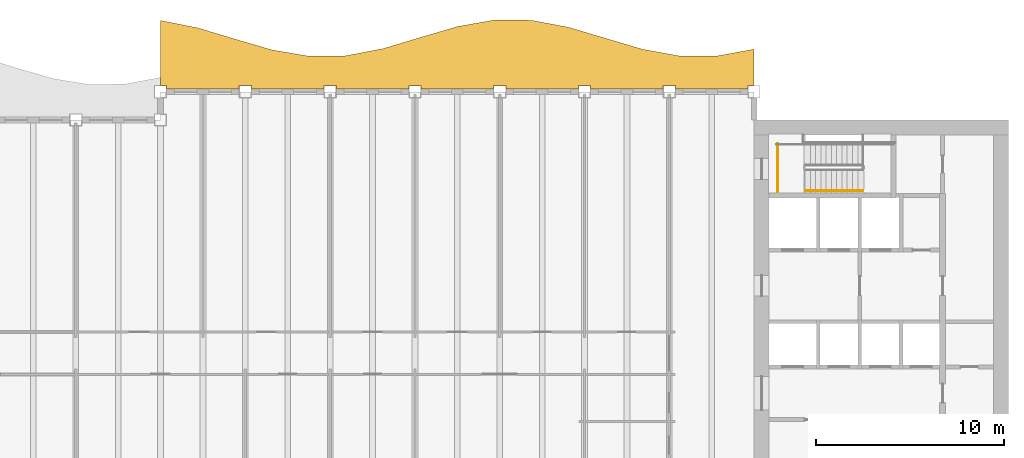
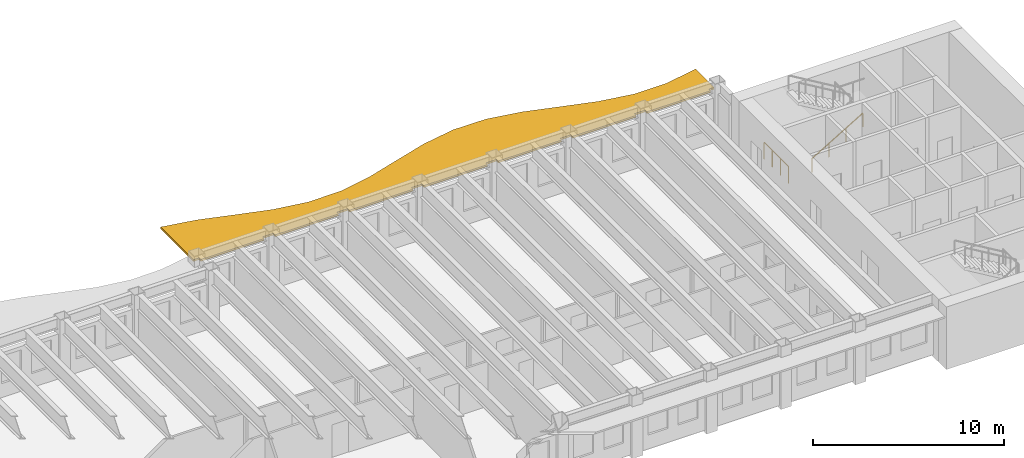
# One storey, part 11 of 12: 2 railings, 1 shading device.
"""IFC4 building model written with IfcOpenShell, lengths in metres."""

import ifcopenshell
import ifcopenshell.guid

model = None  # the IFC model being written
_history = None  # IfcOwnerHistory: only IFC2X3 demands one
_inside = {}  # id of a spatial element -> (the spatial element, [elements in it])
_under = {}  # id of a project, library or spatial element -> (it, [spatial elements below it])
_declared = {}  # id of a project -> (the project, [libraries it declares])
_typed = {}  # id of a type object -> (the type object, [elements of that type])
_made_of = {}  # id of a material, layer set ... -> (it, [elements and type objects made of it])


def new_model(schema):
    """Start an empty IFC model of exactly this schema.

    Asked for "IFC4X3", IfcOpenShell would pick the latest addendum, in which some entities
    have other attributes; the version numbers below select the first issue.
    IFC2X3 requires an IfcOwnerHistory on every rooted entity: one is made here for all.
    """
    global model, _history
    if schema == "IFC4X3":
        model = ifcopenshell.file(schema_version=(4, 3, 0, 0))
    else:
        model = ifcopenshell.file(schema=schema)
    _inside.clear()
    _under.clear()
    _declared.clear()
    _typed.clear()
    _made_of.clear()
    _history = None
    if model.schema == "IFC2X3":
        org = make("IfcOrganization", Name="unknown")
        user = make(
            "IfcPersonAndOrganization",
            ThePerson=make("IfcPerson", FamilyName="unknown"),
            TheOrganization=org,
        )
        app = make(
            "IfcApplication",
            ApplicationDeveloper=org,
            Version="unknown",
            ApplicationFullName="unknown",
            ApplicationIdentifier="unknown",
        )
        _history = make(
            "IfcOwnerHistory",
            OwningUser=user,
            OwningApplication=app,
            ChangeAction="ADDED",
            CreationDate=0,
        )
    return model


def make(cls, **values):
    """One entity of the class cls with the attributes given. An attribute that is None is left unset."""
    return model.create_entity(
        cls, **{name: value for name, value in values.items() if value is not None}
    )


def rooted(cls, **values):
    """An entity with a GlobalId (a new one), such as an element, a storey or a relation."""
    return make(cls, GlobalId=ifcopenshell.guid.new(), OwnerHistory=_history, **values)


def si_unit(unit_type, name, prefix=None):
    """IfcSIUnit, for example si_unit("LENGTHUNIT", "METRE", prefix="MILLI")."""
    return make("IfcSIUnit", UnitType=unit_type, Prefix=prefix, Name=name)


def assignment(units):
    """IfcUnitAssignment: the units of a project."""
    return None if units is None else make("IfcUnitAssignment", Units=units)


def point(xyz):
    """IfcCartesianPoint."""
    return None if xyz is None else make("IfcCartesianPoint", Coordinates=xyz)


def direction(xyz):
    """IfcDirection."""
    return None if xyz is None else make("IfcDirection", DirectionRatios=xyz)


def frame(location, z_axis=None, x_axis=None):
    """IfcAxis2Placement3D, a coordinate frame: its origin and axes. An axis left out is left unset."""
    return make(
        "IfcAxis2Placement3D",
        Location=point(location),
        Axis=direction(z_axis),
        RefDirection=direction(x_axis),
    )


def frame_2d(location, x_axis=None):
    """IfcAxis2Placement2D, a coordinate frame in the plane: its origin and x axis."""
    return make(
        "IfcAxis2Placement2D", Location=point(location), RefDirection=direction(x_axis)
    )


def origin():
    """The frame at (0, 0, 0) with its axes left unset."""
    return frame((0.0, 0.0, 0.0))


def origin_2d():
    """The frame at (0, 0) in the plane with its x axis left unset."""
    return frame_2d((0.0, 0.0))


def place(relative_to, where):
    """IfcLocalPlacement: puts the frame where relative to a parent placement (None: the world)."""
    return make(
        "IfcLocalPlacement", PlacementRelTo=relative_to, RelativePlacement=where
    )


def context(
    kind, dimensions, precision=None, world=None, true_north=None, identifier=None
):
    """IfcGeometricRepresentationContext, for example the 3D "Model" context."""
    return make(
        "IfcGeometricRepresentationContext",
        ContextIdentifier=identifier,
        ContextType=kind,
        CoordinateSpaceDimension=dimensions,
        Precision=precision,
        WorldCoordinateSystem=world,
        TrueNorth=true_north,
    )


def subcontext(parent, identifier, kind, view, scale=None):
    """IfcGeometricRepresentationSubContext, for example "Body" below "Model"."""
    return make(
        "IfcGeometricRepresentationSubContext",
        ContextIdentifier=identifier,
        ContextType=kind,
        ParentContext=parent,
        TargetScale=scale,
        TargetView=view,
    )


def project(units=None, contexts=None):
    """IfcProject with its units and contexts."""
    return rooted(
        "IfcProject",
        Name="project",
        RepresentationContexts=contexts,
        UnitsInContext=assignment(units),
    )


def spatial(cls, under=None, at=None, **own):
    """A site, building, storey or space (cls), placed at a placement, below another one or the project."""
    s = rooted(cls, ObjectPlacement=at, **own)
    if under is not None:
        _under.setdefault(under.id(), (under, []))[1].append(s)
    return s


def polyline(points):
    """IfcPolyline through the points."""
    return make("IfcPolyline", Points=[point(p) for p in points])


def profile(cls, at=None, kind="AREA", **sizes):
    """A parametric profile (cls). Its sizes go by their IFC names, for example OverallWidth=200.0."""
    return make(cls, ProfileType=kind, Position=at, **sizes)


def rectangle(**sizes):
    """IfcRectangleProfileDef."""
    return profile("IfcRectangleProfileDef", **sizes)


def outline(outer, holes=None, kind="AREA"):
    """IfcArbitraryClosedProfileDef: a profile drawn as a closed curve; with holes, ...WithVoids."""
    if holes is None:
        return make("IfcArbitraryClosedProfileDef", ProfileType=kind, OuterCurve=outer)
    return make(
        "IfcArbitraryProfileDefWithVoids",
        ProfileType=kind,
        OuterCurve=outer,
        InnerCurves=holes,
    )


def extrude(swept, where, along, depth):
    """IfcExtrudedAreaSolid: the profile swept, set in the frame where, extruded along a direction by depth."""
    return make(
        "IfcExtrudedAreaSolid",
        SweptArea=swept,
        Position=where,
        ExtrudedDirection=direction(along),
        Depth=depth,
    )


def shape(context_of_items, identifier, shape_type, items):
    """IfcShapeRepresentation: the items that make up one representation, for example the "Body"."""
    return make(
        "IfcShapeRepresentation",
        ContextOfItems=context_of_items,
        RepresentationIdentifier=identifier,
        RepresentationType=shape_type,
        Items=items,
    )


def material(Name=None, Category=None):
    """IfcMaterial."""
    return make("IfcMaterial", Name=Name, Category=Category)


def layer(
    of_material, thickness, ventilated=None, Name=None, Category=None, Priority=None
):
    """IfcMaterialLayer: one layer of a wall or slab, of a material (None: an air gap)."""
    return make(
        "IfcMaterialLayer",
        Material=of_material,
        LayerThickness=thickness,
        IsVentilated=ventilated,
        Name=Name,
        Category=Category,
        Priority=Priority,
    )


def layer_set(layers, Name=None):
    """IfcMaterialLayerSet."""
    return make("IfcMaterialLayerSet", MaterialLayers=layers, LayerSetName=Name)


def made_of(thing, what):
    """Note that an element or type object is made of a material, layer set ...; save() writes the relation."""
    if what is not None:
        _made_of.setdefault(what.id(), (what, []))[1].append(thing)
    return thing


def type_object(cls, material=None, **own):
    """A type object (cls), such as IfcWallType, which elements share."""
    return made_of(rooted(cls, **own), material)


def element(
    cls,
    number,
    at=None,
    inside=None,
    cuts=None,
    type_object=None,
    material=None,
    context=None,
    identifier="Body",
    shape_type=None,
    held_by="IfcProductDefinitionShape",
    body=None,
    shapes=None,
    **own,
):
    """One element of the class cls, such as IfcWall. Its Tag is "e" and its number.

    at: its placement. inside: the storey or other place that contains it. cuts: it is an
    opening in that element (IfcRelVoidsElement). A single representation is given by context,
    identifier, shape_type and body (its items); several are given by shapes. held_by: the class
    of the entity that holds the representations. save() writes the other relations.
    """
    e = rooted(cls, Tag="e%d" % number, ObjectPlacement=at, **own)
    if body is not None:
        shapes = [shape(context, identifier, shape_type, body)]
    if shapes is not None:
        e.Representation = make(held_by, Representations=shapes)
    if inside is not None:
        _inside.setdefault(inside.id(), (inside, []))[1].append(e)
    if cuts is not None:
        rooted(
            "IfcRelVoidsElement", RelatingBuildingElement=cuts, RelatedOpeningElement=e
        )
    if type_object is not None:
        _typed.setdefault(type_object.id(), (type_object, []))[1].append(e)
    return made_of(e, material)


def aggregate(whole, parts):
    """IfcRelAggregates: a whole, such as a stair, and the parts it consists of."""
    return rooted("IfcRelAggregates", RelatingObject=whole, RelatedObjects=parts)


def save(model, path):
    """Write the relations noted so far, then the file.

    IfcRelAggregates (storeys below a building ...), IfcRelContainedInSpatialStructure (elements
    in a storey), IfcRelDefinesByType, IfcRelAssociatesMaterial and IfcRelDeclares: one each for
    every whole, place, type object, material and project.
    """
    for whole, parts in _under.values():
        aggregate(whole, parts)
    for where, things in _inside.values():
        rooted(
            "IfcRelContainedInSpatialStructure",
            RelatedElements=things,
            RelatingStructure=where,
        )
    for kind, things in _typed.values():
        rooted("IfcRelDefinesByType", RelatedObjects=things, RelatingType=kind)
    for what, things in _made_of.values():
        rooted("IfcRelAssociatesMaterial", RelatedObjects=things, RelatingMaterial=what)
    for by, libraries in _declared.values():
        rooted("IfcRelDeclares", RelatingContext=by, RelatedDefinitions=libraries)
    model.write(path)


model = new_model("IFC4")

# Units and contexts
model_context = context("Model", 3, precision=1e-05, world=origin(), true_north=direction((0.0, 1.0)))
body_context = subcontext(model_context, "Body", "Model", "MODEL_VIEW")
ifc_project = project(units=[si_unit("LENGTHUNIT", "METRE"), si_unit("AREAUNIT", "SQUARE_METRE"), si_unit("VOLUMEUNIT", "CUBIC_METRE"), si_unit("PLANEANGLEUNIT", "RADIAN"), si_unit("MASSUNIT", "GRAM", prefix="KILO")], contexts=[model_context])

# Site, building, storey
site_placement = place(None, origin())
site = spatial("IfcSite", under=ifc_project, at=site_placement, CompositionType="ELEMENT")
building_placement = place(site_placement, origin())
building = spatial("IfcBuilding", under=site, at=building_placement, Name="Sennacour Bend Tower", CompositionType="ELEMENT")
storey_placement = place(building_placement, frame((0.0, 0.0, 253.0)))
storey = spatial("IfcBuildingStorey", under=building, at=storey_placement, Name="L58", CompositionType="ELEMENT", Elevation=253.0)

# Railings
ifc_material_1 = material(Name="Stainless steel", Category="steel")
railing_type_1 = type_object("IfcRailingType", Name="RL-GUARD-1100", PredefinedType="GUARDRAIL", material=ifc_material_1)
railing_1_placement = place(storey_placement, frame((55.25, 18.699951171875, 0.0)))
element("IfcRailing", 1, at=railing_1_placement, inside=storey, type_object=railing_type_1, Name="L58 SA2 stair guard 7", PredefinedType="GUARDRAIL", context=body_context, shape_type="SweptSolid", body=[
    extrude(rectangle(XDim=0.048095703125, YDim=0.048095703125, at=origin_2d()), frame((0.0, 0.0, 1.076171875), z_axis=(0.0, 1.0, 0.0), x_axis=(-1.0, 0.0, 0.0)), (0.0, 0.0, 1.0), 2.550048828125),
    extrude(rectangle(XDim=0.0419921875, YDim=0.0419921875, at=origin_2d()), origin(), (0.0, 0.0, 1.0), 1.052001953125),
    extrude(rectangle(XDim=0.0419921875, YDim=0.0419921875, at=origin_2d()), frame((0.0, 0.85009765625, 0.0)), (0.0, 0.0, 1.0), 1.052001953125),
    extrude(rectangle(XDim=0.0419921875, YDim=0.0419921875, at=origin_2d()), frame((0.0, 1.699951171875, 0.0)), (0.0, 0.0, 1.0), 1.052001953125),
    extrude(rectangle(XDim=0.0419921875, YDim=0.0419921875, at=origin_2d()), frame((0.0, 2.550048828125, 0.0)), (0.0, 0.0, 1.0), 1.052001953125),
])
railing_type_2 = type_object("IfcRailingType", Name="RL-HANDRAIL-900", PredefinedType="HANDRAIL", material=ifc_material_1)
railing_2_placement = place(storey_placement, frame((56.699951171875, 18.75, 0.166748046875)))
element("IfcRailing", 2, at=railing_2_placement, inside=storey, type_object=railing_type_2, Name="L58 SA2 stair handrail 1", PredefinedType="HANDRAIL", context=body_context, shape_type="SweptSolid", body=[
    extrude(rectangle(XDim=0.048095703125, YDim=0.048095703125, at=origin_2d()), frame((0.0, 0.0, 0.8759765625), z_axis=(0.859308565015, 0.0, 0.511457515432), x_axis=(0.0, 1.0, 0.0)), (0.0, 0.0, 1.0), 3.58447265625),
    extrude(rectangle(XDim=0.0419921875, YDim=0.0419921875, at=origin_2d()), origin(), (0.0, 0.0, 1.0), 0.851806640625),
    extrude(rectangle(XDim=0.0419921875, YDim=0.0419921875, at=origin_2d()), frame((1.026611328125, 0.0, 0.611083984375)), (0.0, 0.0, 1.0), 0.851806640625),
    extrude(rectangle(XDim=0.0419921875, YDim=0.0419921875, at=origin_2d()), frame((2.053466796875, 0.0, 1.22216796875)), (0.0, 0.0, 1.0), 0.851806640625),
    extrude(rectangle(XDim=0.0419921875, YDim=0.0419921875, at=origin_2d()), frame((3.080078125, 0.0, 1.833251953125)), (0.0, 0.0, 1.0), 0.851806640625),
])

# Shading device
ifc_material_2 = material(Name="Bronze anodised aluminium", Category="aluminium")
ifc_layer = layer(ifc_material_2, 0.1201171875, Name="Bronze anodised aluminium", Category="aluminium")
ifc_layer_set = layer_set([ifc_layer], Name="Bronze anodised aluminium")
shading_device_type = type_object("IfcShadingDeviceType", Name="SUNSHADE BAND WAVE", PredefinedType="USERDEFINED", material=ifc_layer_set)
shading_device_placement = place(storey_placement, frame((0.0, 0.0, 3.0419921875)))
element("IfcShadingDevice", 3, at=shading_device_placement, inside=storey, type_object=shading_device_type, Name="Sunshade band L58 concave faces", ObjectType="SUNSHADE", PredefinedType="USERDEFINED", context=body_context, shape_type="SweptSolid", body=[
    extrude(outline(polyline([(53.675048828125, 24.14990234375), (49.824951171875, 24.14990234375), (49.824951171875, 24.324951171875), (49.175048828125, 24.324951171875), (49.175048828125, 24.14990234375), (45.324951171875, 24.14990234375), (45.324951171875, 24.324951171875), (44.675048828125, 24.324951171875), (44.675048828125, 24.14990234375), (40.824951171875, 24.14990234375), (40.824951171875, 24.324951171875), (40.175048828125, 24.324951171875), (40.175048828125, 24.14990234375), (36.324951171875, 24.14990234375), (36.324951171875, 24.324951171875), (35.675048828125, 24.324951171875), (35.675048828125, 24.14990234375), (31.824951171875, 24.14990234375), (31.824951171875, 24.324951171875), (31.175048828125, 24.324951171875), (31.175048828125, 24.14990234375), (27.324951171875, 24.14990234375), (27.324951171875, 24.324951171875), (26.675048828125, 24.324951171875), (26.675048828125, 24.14990234375), (22.824951171875, 24.14990234375), (22.824951171875, 24.324951171875), (22.5, 24.324951171875), (22.5, 27.781982421875), (24.46875, 27.3935546875), (26.4375, 26.800048828125), (28.40625, 26.225341796875), (30.375, 25.88671875), (32.34375, 25.911865234375), (34.3125, 26.29150390625), (36.28125, 26.882080078125), (38.25, 27.460693359375), (40.21875, 27.80859375), (42.1875, 27.794189453125), (44.15625, 27.42333984375), (46.125, 26.835693359375), (48.09375, 26.253662109375), (50.0625, 25.896728515625), (52.03125, 25.900146484375), (54.0, 26.26220703125), (54.0, 24.324951171875), (53.675048828125, 24.324951171875), (53.675048828125, 24.14990234375)])), origin(), (0.0, 0.0, 1.0), 0.1201171875),
])

save(model, "model.ifc")
